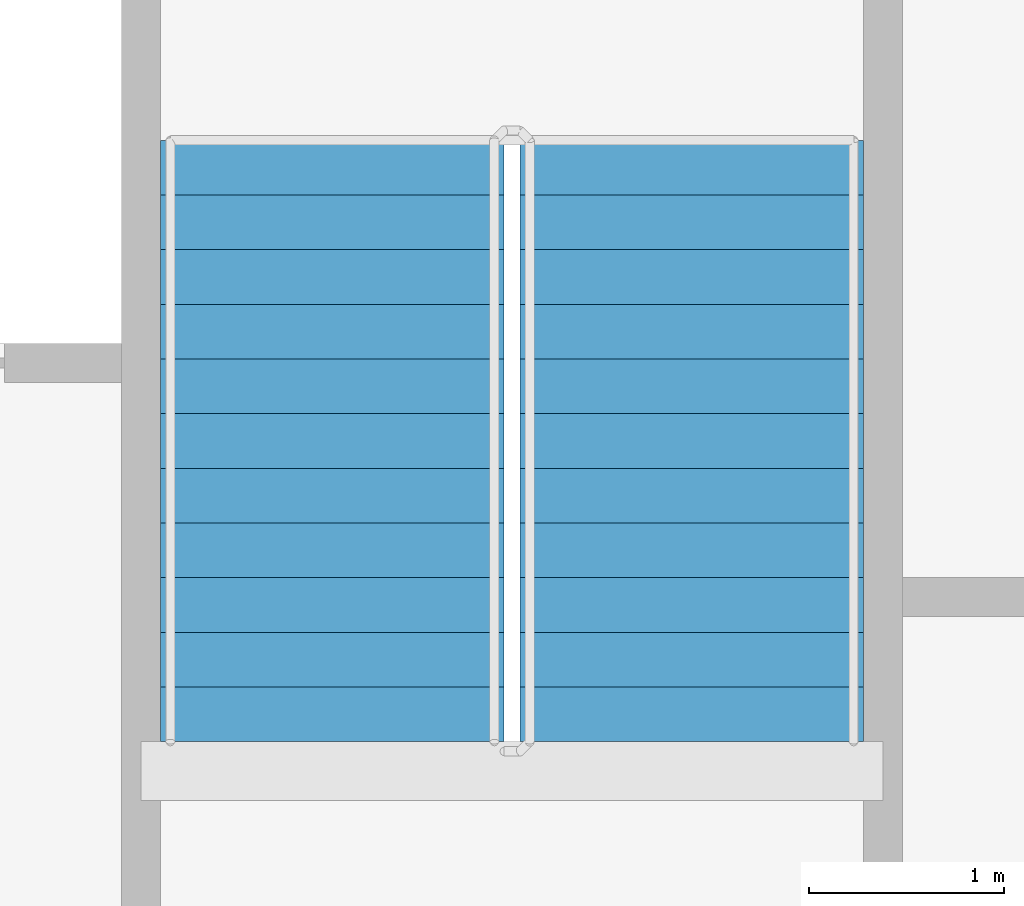
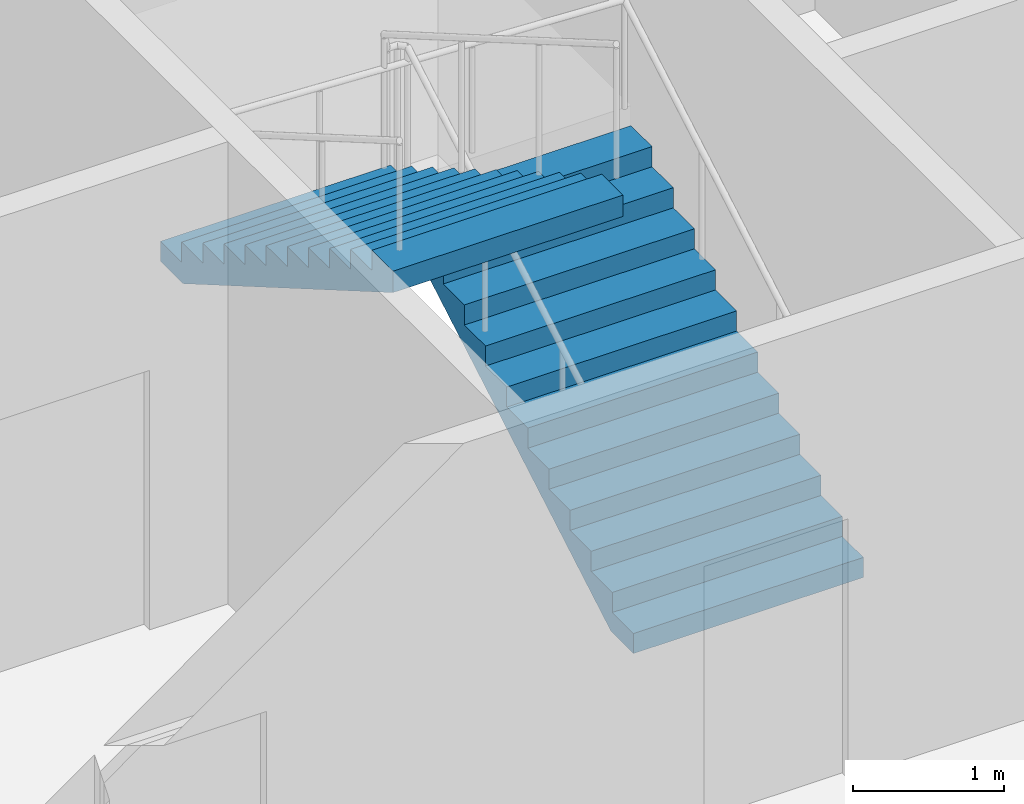
# One storey, part 19 of 24: 2 stair flights, 1 element without a shape of its own.
"""IFC4 building model written with IfcOpenShell, lengths in metres."""

from ifc_helpers import new_model, si_unit, direction, frame, origin, place, context, subcontext, project, spatial, faceted_brep, material, type_object, element, aggregate, save


model = new_model("IFC4")

# Units and contexts
model_context = context("Model", 3, precision=1e-05, world=origin(), true_north=direction((0.0, 1.0)))
body_context = subcontext(model_context, "Body", "Model", "MODEL_VIEW")
ifc_project = project(units=[si_unit("LENGTHUNIT", "METRE"), si_unit("AREAUNIT", "SQUARE_METRE"), si_unit("VOLUMEUNIT", "CUBIC_METRE"), si_unit("PLANEANGLEUNIT", "RADIAN"), si_unit("MASSUNIT", "GRAM", prefix="KILO")], contexts=[model_context])

# Site, building, storey
site_placement = place(None, origin())
site = spatial("IfcSite", under=ifc_project, at=site_placement, CompositionType="ELEMENT")
building_placement = place(site_placement, origin())
building = spatial("IfcBuilding", under=site, at=building_placement, Name="Tarsis Ring Headquarters", CompositionType="ELEMENT")
storey_placement = place(building_placement, frame((0.0, 0.0, 163.199951171875)))
storey = spatial("IfcBuildingStorey", under=building, at=storey_placement, Name="L37", CompositionType="ELEMENT", Elevation=163.199951171875)

# Stair, stair flights
ifc_material_1 = material(Name="Core stair 1760")
stair_type = type_object("IfcStairType", Name="Core stair 1760", PredefinedType="HALF_TURN_STAIR", material=ifc_material_1)
stair_placement = place(storey_placement, origin())
stair = element("IfcStair", 1, at=stair_placement, inside=storey, type_object=stair_type, Name="L37 Exit stair B", PredefinedType="HALF_TURN_STAIR")
ifc_material_2 = material(Name="Concrete C40/50", Category="concrete")
stair_flight_type = type_object("IfcStairFlightType", Name="Core stair flight 1760", PredefinedType="STRAIGHT", material=ifc_material_2)
stair_flight_1_placement = place(storey_placement, frame((5.419921875, 3.659912109375, 0.0), z_axis=(0.0, 0.0, 1.0), x_axis=(0.0, 1.0, 0.0)))
stair_flight_1 = element("IfcStairFlight", 2, at=stair_flight_1_placement, type_object=stair_flight_type, Name="Stair ST2 flight 1", NumberOfRisers=12, NumberOfTreads=11, PredefinedType="STRAIGHT", RiserHeight=0.1625, TreadLength=0.28, context=body_context, shape_type="Brep", body=[
    faceted_brep([(0.0, 0.8798828125, 0.0), (0.0, 0.8798828125, 0.16259765625), (0.280029296875, 0.8798828125, 0.16259765625), (0.280029296875, 0.8798828125, 0.324951171875), (0.56005859375, 0.8798828125, 0.324951171875), (0.56005859375, 0.8798828125, 0.487548828125), (0.840087890625, 0.8798828125, 0.487548828125), (0.840087890625, 0.8798828125, 0.64990234375), (1.1201171875, 0.8798828125, 0.64990234375), (1.1201171875, 0.8798828125, 0.8125), (1.39990234375, 0.8798828125, 0.8125), (1.39990234375, 0.8798828125, 0.97509765625), (1.679931640625, 0.8798828125, 0.97509765625), (1.679931640625, 0.8798828125, 1.137451171875), (1.9599609375, 0.8798828125, 1.137451171875), (1.9599609375, 0.8798828125, 1.300048828125), (2.239990234375, 0.8798828125, 1.300048828125), (2.239990234375, 0.8798828125, 1.46240234375), (2.52001953125, 0.8798828125, 1.46240234375), (2.52001953125, 0.8798828125, 1.625), (2.800048828125, 0.8798828125, 1.625), (2.800048828125, 0.8798828125, 1.78759765625), (3.080078125, 0.8798828125, 1.78759765625), (3.080078125, 0.8798828125, 1.6142578125), (0.298583984375, 0.8798828125, 0.0), (0.298583984375, -0.8798828125, 0.0), (3.080078125, -0.8798828125, 1.6142578125), (3.080078125, -0.8798828125, 1.78759765625), (2.800048828125, -0.8798828125, 1.78759765625), (2.800048828125, -0.8798828125, 1.625), (2.52001953125, -0.8798828125, 1.625), (2.52001953125, -0.8798828125, 1.46240234375), (2.239990234375, -0.8798828125, 1.46240234375), (2.239990234375, -0.8798828125, 1.300048828125), (1.9599609375, -0.8798828125, 1.300048828125), (1.9599609375, -0.8798828125, 1.137451171875), (1.679931640625, -0.8798828125, 1.137451171875), (1.679931640625, -0.8798828125, 0.97509765625), (1.39990234375, -0.8798828125, 0.97509765625), (1.39990234375, -0.8798828125, 0.8125), (1.1201171875, -0.8798828125, 0.8125), (1.1201171875, -0.8798828125, 0.64990234375), (0.840087890625, -0.8798828125, 0.64990234375), (0.840087890625, -0.8798828125, 0.487548828125), (0.56005859375, -0.8798828125, 0.487548828125), (0.56005859375, -0.8798828125, 0.324951171875), (0.280029296875, -0.8798828125, 0.324951171875), (0.280029296875, -0.8798828125, 0.16259765625), (0.0, -0.8798828125, 0.16259765625), (0.0, -0.8798828125, 0.0), (0.0, -0.43994140625, 0.16259765625), (0.0, -0.43994140625, 0.0), (0.0, 0.0, 0.16259765625), (0.0, 0.0, 0.0), (0.0, 0.43994140625, 0.16259765625), (0.0, 0.43994140625, 0.0), (0.280029296875, -0.43994140625, 0.16259765625), (0.280029296875, 0.0, 0.16259765625), (0.280029296875, 0.43994140625, 0.16259765625), (0.280029296875, -0.43994140625, 0.324951171875), (0.280029296875, 0.0, 0.324951171875), (0.280029296875, 0.43994140625, 0.324951171875), (0.56005859375, -0.43994140625, 0.324951171875), (0.56005859375, 0.0, 0.324951171875), (0.56005859375, 0.43994140625, 0.324951171875), (0.56005859375, -0.43994140625, 0.487548828125), (0.56005859375, 0.0, 0.487548828125), (0.56005859375, 0.43994140625, 0.487548828125), (0.840087890625, -0.43994140625, 0.487548828125), (0.840087890625, 0.0, 0.487548828125), (0.840087890625, 0.43994140625, 0.487548828125), (0.840087890625, -0.43994140625, 0.64990234375), (0.840087890625, 0.0, 0.64990234375), (0.840087890625, 0.43994140625, 0.64990234375), (1.1201171875, -0.43994140625, 0.64990234375), (1.1201171875, 0.0, 0.64990234375), (1.1201171875, 0.43994140625, 0.64990234375), (1.1201171875, -0.43994140625, 0.8125), (1.1201171875, 0.0, 0.8125), (1.1201171875, 0.43994140625, 0.8125), (1.39990234375, -0.43994140625, 0.8125), (1.39990234375, 0.0, 0.8125), (1.39990234375, 0.43994140625, 0.8125), (1.39990234375, -0.43994140625, 0.97509765625), (1.39990234375, 0.0, 0.97509765625), (1.39990234375, 0.43994140625, 0.97509765625), (1.679931640625, -0.43994140625, 0.97509765625), (1.679931640625, 0.0, 0.97509765625), (1.679931640625, 0.43994140625, 0.97509765625), (1.679931640625, -0.43994140625, 1.137451171875), (1.679931640625, 0.0, 1.137451171875), (1.679931640625, 0.43994140625, 1.137451171875), (1.9599609375, -0.43994140625, 1.137451171875), (1.9599609375, 0.0, 1.137451171875), (1.9599609375, 0.43994140625, 1.137451171875), (1.9599609375, -0.43994140625, 1.300048828125), (1.9599609375, 0.0, 1.300048828125), (1.9599609375, 0.43994140625, 1.300048828125), (2.239990234375, -0.43994140625, 1.300048828125), (2.239990234375, 0.0, 1.300048828125), (2.239990234375, 0.43994140625, 1.300048828125), (2.239990234375, -0.43994140625, 1.46240234375), (2.239990234375, 0.0, 1.46240234375), (2.239990234375, 0.43994140625, 1.46240234375), (2.52001953125, -0.43994140625, 1.46240234375), (2.52001953125, 0.0, 1.46240234375), (2.52001953125, 0.43994140625, 1.46240234375), (2.52001953125, -0.43994140625, 1.625), (2.52001953125, 0.0, 1.625), (2.52001953125, 0.43994140625, 1.625), (2.800048828125, -0.43994140625, 1.625), (2.800048828125, 0.0, 1.625), (2.800048828125, 0.43994140625, 1.625), (2.800048828125, -0.43994140625, 1.78759765625), (2.800048828125, 0.0, 1.78759765625), (2.800048828125, 0.43994140625, 1.78759765625), (3.080078125, -0.43994140625, 1.78759765625), (3.080078125, 0.0, 1.78759765625), (3.080078125, 0.43994140625, 1.78759765625), (3.080078125, -0.43994140625, 1.6142578125), (3.080078125, 0.0, 1.6142578125), (3.080078125, 0.43994140625, 1.6142578125), (0.298583984375, -0.43994140625, 0.0), (0.298583984375, 0.0, 0.0), (0.298583984375, 0.43994140625, 0.0)], [[[0, 1, 2, 3, 4, 5, 6, 7, 8, 9, 10, 11, 12, 13, 14, 15, 16, 17, 18, 19, 20, 21, 22, 23, 24]], [[25, 26, 27, 28, 29, 30, 31, 32, 33, 34, 35, 36, 37, 38, 39, 40, 41, 42, 43, 44, 45, 46, 47, 48, 49]], [[49, 48, 50, 51]], [[51, 50, 52, 53]], [[53, 52, 54, 55]], [[55, 54, 1, 0]], [[48, 47, 56, 50]], [[50, 56, 57, 52]], [[52, 57, 58, 54]], [[54, 58, 2, 1]], [[47, 46, 59, 56]], [[56, 59, 60, 57]], [[57, 60, 61, 58]], [[58, 61, 3, 2]], [[46, 45, 62, 59]], [[59, 62, 63, 60]], [[60, 63, 64, 61]], [[61, 64, 4, 3]], [[45, 44, 65, 62]], [[62, 65, 66, 63]], [[63, 66, 67, 64]], [[64, 67, 5, 4]], [[44, 43, 68, 65]], [[65, 68, 69, 66]], [[66, 69, 70, 67]], [[67, 70, 6, 5]], [[43, 42, 71, 68]], [[68, 71, 72, 69]], [[69, 72, 73, 70]], [[70, 73, 7, 6]], [[42, 41, 74, 71]], [[71, 74, 75, 72]], [[72, 75, 76, 73]], [[73, 76, 8, 7]], [[41, 40, 77, 74]], [[74, 77, 78, 75]], [[75, 78, 79, 76]], [[76, 79, 9, 8]], [[40, 39, 80, 77]], [[77, 80, 81, 78]], [[78, 81, 82, 79]], [[79, 82, 10, 9]], [[39, 38, 83, 80]], [[80, 83, 84, 81]], [[81, 84, 85, 82]], [[82, 85, 11, 10]], [[38, 37, 86, 83]], [[83, 86, 87, 84]], [[84, 87, 88, 85]], [[85, 88, 12, 11]], [[37, 36, 89, 86]], [[86, 89, 90, 87]], [[87, 90, 91, 88]], [[88, 91, 13, 12]], [[36, 35, 92, 89]], [[89, 92, 93, 90]], [[90, 93, 94, 91]], [[91, 94, 14, 13]], [[35, 34, 95, 92]], [[92, 95, 96, 93]], [[93, 96, 97, 94]], [[94, 97, 15, 14]], [[34, 33, 98, 95]], [[95, 98, 99, 96]], [[96, 99, 100, 97]], [[97, 100, 16, 15]], [[33, 32, 101, 98]], [[98, 101, 102, 99]], [[99, 102, 103, 100]], [[100, 103, 17, 16]], [[32, 31, 104, 101]], [[101, 104, 105, 102]], [[102, 105, 106, 103]], [[103, 106, 18, 17]], [[31, 30, 107, 104]], [[104, 107, 108, 105]], [[105, 108, 109, 106]], [[106, 109, 19, 18]], [[30, 29, 110, 107]], [[107, 110, 111, 108]], [[108, 111, 112, 109]], [[109, 112, 20, 19]], [[29, 28, 113, 110]], [[110, 113, 114, 111]], [[111, 114, 115, 112]], [[112, 115, 21, 20]], [[28, 27, 116, 113]], [[113, 116, 117, 114]], [[114, 117, 118, 115]], [[115, 118, 22, 21]], [[27, 26, 119, 116]], [[116, 119, 120, 117]], [[117, 120, 121, 118]], [[118, 121, 23, 22]], [[26, 25, 122, 119]], [[119, 122, 123, 120]], [[120, 123, 124, 121]], [[121, 124, 24, 23]], [[25, 49, 51, 122]], [[122, 51, 53, 123]], [[123, 53, 55, 124]], [[124, 55, 0, 24]]]),
])
stair_flight_2_placement = place(storey_placement, frame((3.580078125, 6.739990234375, 1.949951171875), z_axis=(0.0, 0.0, 1.0), x_axis=(0.0, -1.0, 0.0)))
stair_flight_2 = element("IfcStairFlight", 3, at=stair_flight_2_placement, type_object=stair_flight_type, Name="Stair ST2 flight 2", NumberOfRisers=12, NumberOfTreads=11, PredefinedType="STRAIGHT", RiserHeight=0.1625, TreadLength=0.28, context=body_context, shape_type="Brep", body=[
    faceted_brep([(0.0, 0.8798828125, 0.0), (0.0, 0.8798828125, 0.16259765625), (0.280029296875, 0.8798828125, 0.16259765625), (0.280029296875, 0.8798828125, 0.324951171875), (0.56005859375, 0.8798828125, 0.324951171875), (0.56005859375, 0.8798828125, 0.487548828125), (0.840087890625, 0.8798828125, 0.487548828125), (0.840087890625, 0.8798828125, 0.64990234375), (1.1201171875, 0.8798828125, 0.64990234375), (1.1201171875, 0.8798828125, 0.8125), (1.39990234375, 0.8798828125, 0.8125), (1.39990234375, 0.8798828125, 0.97509765625), (1.679931640625, 0.8798828125, 0.97509765625), (1.679931640625, 0.8798828125, 1.137451171875), (1.9599609375, 0.8798828125, 1.137451171875), (1.9599609375, 0.8798828125, 1.300048828125), (2.239990234375, 0.8798828125, 1.300048828125), (2.239990234375, 0.8798828125, 1.46240234375), (2.52001953125, 0.8798828125, 1.46240234375), (2.52001953125, 0.8798828125, 1.625), (2.800048828125, 0.8798828125, 1.625), (2.800048828125, 0.8798828125, 1.78759765625), (3.080078125, 0.8798828125, 1.78759765625), (3.080078125, 0.8798828125, 1.6142578125), (0.298583984375, 0.8798828125, 0.0), (0.298583984375, -0.8798828125, 0.0), (3.080078125, -0.8798828125, 1.6142578125), (3.080078125, -0.8798828125, 1.78759765625), (2.800048828125, -0.8798828125, 1.78759765625), (2.800048828125, -0.8798828125, 1.625), (2.52001953125, -0.8798828125, 1.625), (2.52001953125, -0.8798828125, 1.46240234375), (2.239990234375, -0.8798828125, 1.46240234375), (2.239990234375, -0.8798828125, 1.300048828125), (1.9599609375, -0.8798828125, 1.300048828125), (1.9599609375, -0.8798828125, 1.137451171875), (1.679931640625, -0.8798828125, 1.137451171875), (1.679931640625, -0.8798828125, 0.97509765625), (1.39990234375, -0.8798828125, 0.97509765625), (1.39990234375, -0.8798828125, 0.8125), (1.1201171875, -0.8798828125, 0.8125), (1.1201171875, -0.8798828125, 0.64990234375), (0.840087890625, -0.8798828125, 0.64990234375), (0.840087890625, -0.8798828125, 0.487548828125), (0.56005859375, -0.8798828125, 0.487548828125), (0.56005859375, -0.8798828125, 0.324951171875), (0.280029296875, -0.8798828125, 0.324951171875), (0.280029296875, -0.8798828125, 0.16259765625), (0.0, -0.8798828125, 0.16259765625), (0.0, -0.8798828125, 0.0), (0.0, -0.43994140625, 0.16259765625), (0.0, -0.43994140625, 0.0), (0.0, 0.0, 0.16259765625), (0.0, 0.0, 0.0), (0.0, 0.43994140625, 0.16259765625), (0.0, 0.43994140625, 0.0), (0.280029296875, -0.43994140625, 0.16259765625), (0.280029296875, 0.0, 0.16259765625), (0.280029296875, 0.43994140625, 0.16259765625), (0.280029296875, -0.43994140625, 0.324951171875), (0.280029296875, 0.0, 0.324951171875), (0.280029296875, 0.43994140625, 0.324951171875), (0.56005859375, -0.43994140625, 0.324951171875), (0.56005859375, 0.0, 0.324951171875), (0.56005859375, 0.43994140625, 0.324951171875), (0.56005859375, -0.43994140625, 0.487548828125), (0.56005859375, 0.0, 0.487548828125), (0.56005859375, 0.43994140625, 0.487548828125), (0.840087890625, -0.43994140625, 0.487548828125), (0.840087890625, 0.0, 0.487548828125), (0.840087890625, 0.43994140625, 0.487548828125), (0.840087890625, -0.43994140625, 0.64990234375), (0.840087890625, 0.0, 0.64990234375), (0.840087890625, 0.43994140625, 0.64990234375), (1.1201171875, -0.43994140625, 0.64990234375), (1.1201171875, 0.0, 0.64990234375), (1.1201171875, 0.43994140625, 0.64990234375), (1.1201171875, -0.43994140625, 0.8125), (1.1201171875, 0.0, 0.8125), (1.1201171875, 0.43994140625, 0.8125), (1.39990234375, -0.43994140625, 0.8125), (1.39990234375, 0.0, 0.8125), (1.39990234375, 0.43994140625, 0.8125), (1.39990234375, -0.43994140625, 0.97509765625), (1.39990234375, 0.0, 0.97509765625), (1.39990234375, 0.43994140625, 0.97509765625), (1.679931640625, -0.43994140625, 0.97509765625), (1.679931640625, 0.0, 0.97509765625), (1.679931640625, 0.43994140625, 0.97509765625), (1.679931640625, -0.43994140625, 1.137451171875), (1.679931640625, 0.0, 1.137451171875), (1.679931640625, 0.43994140625, 1.137451171875), (1.9599609375, -0.43994140625, 1.137451171875), (1.9599609375, 0.0, 1.137451171875), (1.9599609375, 0.43994140625, 1.137451171875), (1.9599609375, -0.43994140625, 1.300048828125), (1.9599609375, 0.0, 1.300048828125), (1.9599609375, 0.43994140625, 1.300048828125), (2.239990234375, -0.43994140625, 1.300048828125), (2.239990234375, 0.0, 1.300048828125), (2.239990234375, 0.43994140625, 1.300048828125), (2.239990234375, -0.43994140625, 1.46240234375), (2.239990234375, 0.0, 1.46240234375), (2.239990234375, 0.43994140625, 1.46240234375), (2.52001953125, -0.43994140625, 1.46240234375), (2.52001953125, 0.0, 1.46240234375), (2.52001953125, 0.43994140625, 1.46240234375), (2.52001953125, -0.43994140625, 1.625), (2.52001953125, 0.0, 1.625), (2.52001953125, 0.43994140625, 1.625), (2.800048828125, -0.43994140625, 1.625), (2.800048828125, 0.0, 1.625), (2.800048828125, 0.43994140625, 1.625), (2.800048828125, -0.43994140625, 1.78759765625), (2.800048828125, 0.0, 1.78759765625), (2.800048828125, 0.43994140625, 1.78759765625), (3.080078125, -0.43994140625, 1.78759765625), (3.080078125, 0.0, 1.78759765625), (3.080078125, 0.43994140625, 1.78759765625), (3.080078125, -0.43994140625, 1.6142578125), (3.080078125, 0.0, 1.6142578125), (3.080078125, 0.43994140625, 1.6142578125), (0.298583984375, -0.43994140625, 0.0), (0.298583984375, 0.0, 0.0), (0.298583984375, 0.43994140625, 0.0)], [[[0, 1, 2, 3, 4, 5, 6, 7, 8, 9, 10, 11, 12, 13, 14, 15, 16, 17, 18, 19, 20, 21, 22, 23, 24]], [[25, 26, 27, 28, 29, 30, 31, 32, 33, 34, 35, 36, 37, 38, 39, 40, 41, 42, 43, 44, 45, 46, 47, 48, 49]], [[49, 48, 50, 51]], [[51, 50, 52, 53]], [[53, 52, 54, 55]], [[55, 54, 1, 0]], [[48, 47, 56, 50]], [[50, 56, 57, 52]], [[52, 57, 58, 54]], [[54, 58, 2, 1]], [[47, 46, 59, 56]], [[56, 59, 60, 57]], [[57, 60, 61, 58]], [[58, 61, 3, 2]], [[46, 45, 62, 59]], [[59, 62, 63, 60]], [[60, 63, 64, 61]], [[61, 64, 4, 3]], [[45, 44, 65, 62]], [[62, 65, 66, 63]], [[63, 66, 67, 64]], [[64, 67, 5, 4]], [[44, 43, 68, 65]], [[65, 68, 69, 66]], [[66, 69, 70, 67]], [[67, 70, 6, 5]], [[43, 42, 71, 68]], [[68, 71, 72, 69]], [[69, 72, 73, 70]], [[70, 73, 7, 6]], [[42, 41, 74, 71]], [[71, 74, 75, 72]], [[72, 75, 76, 73]], [[73, 76, 8, 7]], [[41, 40, 77, 74]], [[74, 77, 78, 75]], [[75, 78, 79, 76]], [[76, 79, 9, 8]], [[40, 39, 80, 77]], [[77, 80, 81, 78]], [[78, 81, 82, 79]], [[79, 82, 10, 9]], [[39, 38, 83, 80]], [[80, 83, 84, 81]], [[81, 84, 85, 82]], [[82, 85, 11, 10]], [[38, 37, 86, 83]], [[83, 86, 87, 84]], [[84, 87, 88, 85]], [[85, 88, 12, 11]], [[37, 36, 89, 86]], [[86, 89, 90, 87]], [[87, 90, 91, 88]], [[88, 91, 13, 12]], [[36, 35, 92, 89]], [[89, 92, 93, 90]], [[90, 93, 94, 91]], [[91, 94, 14, 13]], [[35, 34, 95, 92]], [[92, 95, 96, 93]], [[93, 96, 97, 94]], [[94, 97, 15, 14]], [[34, 33, 98, 95]], [[95, 98, 99, 96]], [[96, 99, 100, 97]], [[97, 100, 16, 15]], [[33, 32, 101, 98]], [[98, 101, 102, 99]], [[99, 102, 103, 100]], [[100, 103, 17, 16]], [[32, 31, 104, 101]], [[101, 104, 105, 102]], [[102, 105, 106, 103]], [[103, 106, 18, 17]], [[31, 30, 107, 104]], [[104, 107, 108, 105]], [[105, 108, 109, 106]], [[106, 109, 19, 18]], [[30, 29, 110, 107]], [[107, 110, 111, 108]], [[108, 111, 112, 109]], [[109, 112, 20, 19]], [[29, 28, 113, 110]], [[110, 113, 114, 111]], [[111, 114, 115, 112]], [[112, 115, 21, 20]], [[28, 27, 116, 113]], [[113, 116, 117, 114]], [[114, 117, 118, 115]], [[115, 118, 22, 21]], [[27, 26, 119, 116]], [[116, 119, 120, 117]], [[117, 120, 121, 118]], [[118, 121, 23, 22]], [[26, 25, 122, 119]], [[119, 122, 123, 120]], [[120, 123, 124, 121]], [[121, 124, 24, 23]], [[25, 49, 51, 122]], [[122, 51, 53, 123]], [[123, 53, 55, 124]], [[124, 55, 0, 24]]]),
])
aggregate(stair, [stair_flight_1, stair_flight_2])

save(model, "model.ifc")
